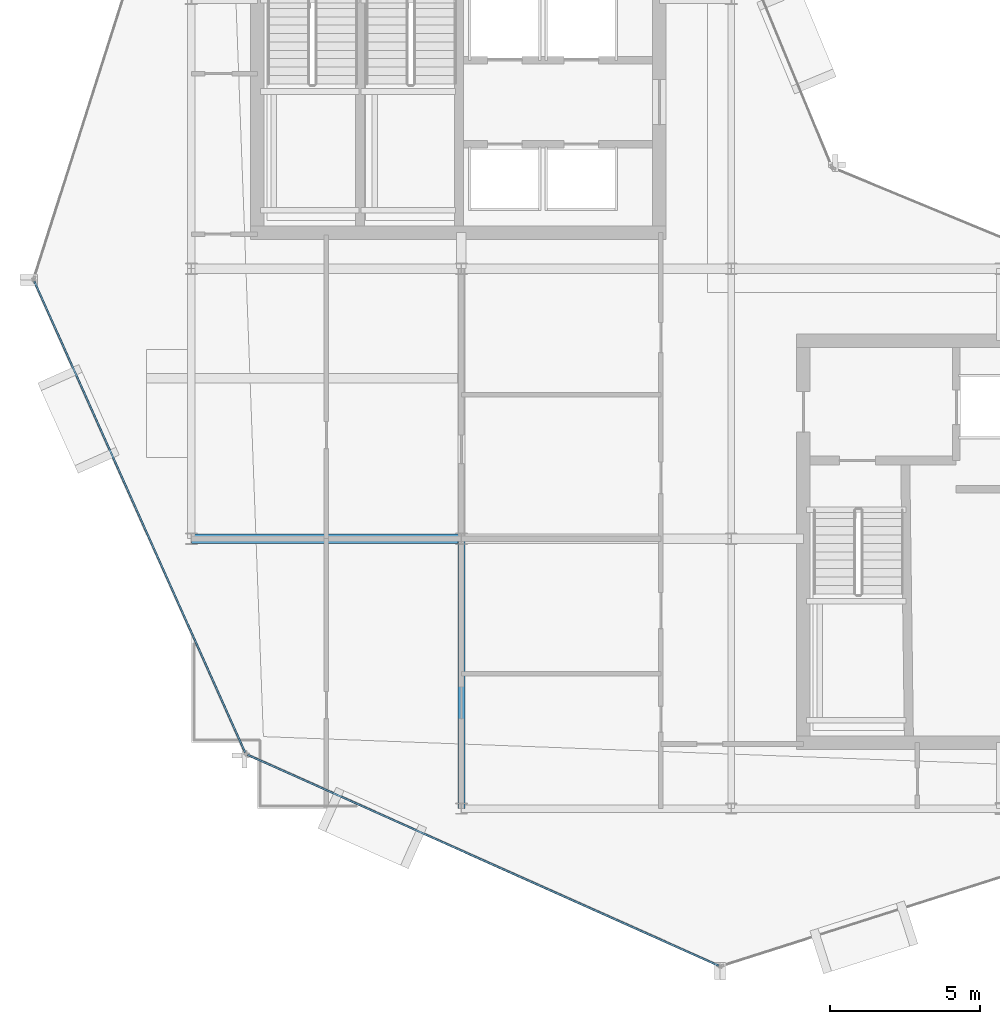
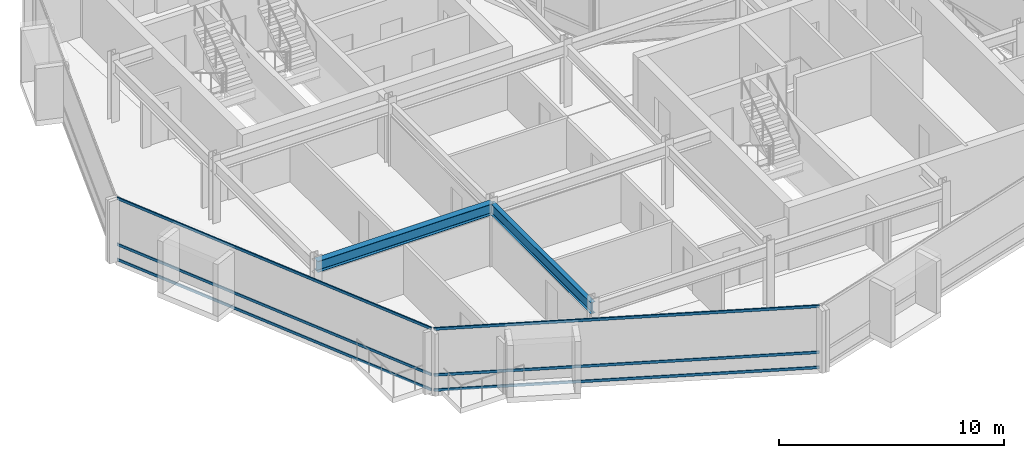
# One storey, part 3 of 19: 6 members, 2 beams, 2 elements without a shape of their own.
"""IFC4 building model written with IfcOpenShell, lengths in metres."""

import ifcopenshell
import ifcopenshell.guid

model = None  # the IFC model being written
_history = None  # IfcOwnerHistory: only IFC2X3 demands one
_inside = {}  # id of a spatial element -> (the spatial element, [elements in it])
_under = {}  # id of a project, library or spatial element -> (it, [spatial elements below it])
_declared = {}  # id of a project -> (the project, [libraries it declares])
_typed = {}  # id of a type object -> (the type object, [elements of that type])
_made_of = {}  # id of a material, layer set ... -> (it, [elements and type objects made of it])


def new_model(schema):
    """Start an empty IFC model of exactly this schema.

    Asked for "IFC4X3", IfcOpenShell would pick the latest addendum, in which some entities
    have other attributes; the version numbers below select the first issue.
    IFC2X3 requires an IfcOwnerHistory on every rooted entity: one is made here for all.
    """
    global model, _history
    if schema == "IFC4X3":
        model = ifcopenshell.file(schema_version=(4, 3, 0, 0))
    else:
        model = ifcopenshell.file(schema=schema)
    _inside.clear()
    _under.clear()
    _declared.clear()
    _typed.clear()
    _made_of.clear()
    _history = None
    if model.schema == "IFC2X3":
        org = make("IfcOrganization", Name="unknown")
        user = make(
            "IfcPersonAndOrganization",
            ThePerson=make("IfcPerson", FamilyName="unknown"),
            TheOrganization=org,
        )
        app = make(
            "IfcApplication",
            ApplicationDeveloper=org,
            Version="unknown",
            ApplicationFullName="unknown",
            ApplicationIdentifier="unknown",
        )
        _history = make(
            "IfcOwnerHistory",
            OwningUser=user,
            OwningApplication=app,
            ChangeAction="ADDED",
            CreationDate=0,
        )
    return model


def make(cls, **values):
    """One entity of the class cls with the attributes given. An attribute that is None is left unset."""
    return model.create_entity(
        cls, **{name: value for name, value in values.items() if value is not None}
    )


def rooted(cls, **values):
    """An entity with a GlobalId (a new one), such as an element, a storey or a relation."""
    return make(cls, GlobalId=ifcopenshell.guid.new(), OwnerHistory=_history, **values)


def si_unit(unit_type, name, prefix=None):
    """IfcSIUnit, for example si_unit("LENGTHUNIT", "METRE", prefix="MILLI")."""
    return make("IfcSIUnit", UnitType=unit_type, Prefix=prefix, Name=name)


def assignment(units):
    """IfcUnitAssignment: the units of a project."""
    return None if units is None else make("IfcUnitAssignment", Units=units)


def point(xyz):
    """IfcCartesianPoint."""
    return None if xyz is None else make("IfcCartesianPoint", Coordinates=xyz)


def direction(xyz):
    """IfcDirection."""
    return None if xyz is None else make("IfcDirection", DirectionRatios=xyz)


def frame(location, z_axis=None, x_axis=None):
    """IfcAxis2Placement3D, a coordinate frame: its origin and axes. An axis left out is left unset."""
    return make(
        "IfcAxis2Placement3D",
        Location=point(location),
        Axis=direction(z_axis),
        RefDirection=direction(x_axis),
    )


def frame_2d(location, x_axis=None):
    """IfcAxis2Placement2D, a coordinate frame in the plane: its origin and x axis."""
    return make(
        "IfcAxis2Placement2D", Location=point(location), RefDirection=direction(x_axis)
    )


def origin():
    """The frame at (0, 0, 0) with its axes left unset."""
    return frame((0.0, 0.0, 0.0))


def origin_2d():
    """The frame at (0, 0) in the plane with its x axis left unset."""
    return frame_2d((0.0, 0.0))


def place(relative_to, where):
    """IfcLocalPlacement: puts the frame where relative to a parent placement (None: the world)."""
    return make(
        "IfcLocalPlacement", PlacementRelTo=relative_to, RelativePlacement=where
    )


def context(
    kind, dimensions, precision=None, world=None, true_north=None, identifier=None
):
    """IfcGeometricRepresentationContext, for example the 3D "Model" context."""
    return make(
        "IfcGeometricRepresentationContext",
        ContextIdentifier=identifier,
        ContextType=kind,
        CoordinateSpaceDimension=dimensions,
        Precision=precision,
        WorldCoordinateSystem=world,
        TrueNorth=true_north,
    )


def subcontext(parent, identifier, kind, view, scale=None):
    """IfcGeometricRepresentationSubContext, for example "Body" below "Model"."""
    return make(
        "IfcGeometricRepresentationSubContext",
        ContextIdentifier=identifier,
        ContextType=kind,
        ParentContext=parent,
        TargetScale=scale,
        TargetView=view,
    )


def project(units=None, contexts=None):
    """IfcProject with its units and contexts."""
    return rooted(
        "IfcProject",
        Name="project",
        RepresentationContexts=contexts,
        UnitsInContext=assignment(units),
    )


def spatial(cls, under=None, at=None, **own):
    """A site, building, storey or space (cls), placed at a placement, below another one or the project."""
    s = rooted(cls, ObjectPlacement=at, **own)
    if under is not None:
        _under.setdefault(under.id(), (under, []))[1].append(s)
    return s


def profile(cls, at=None, kind="AREA", **sizes):
    """A parametric profile (cls). Its sizes go by their IFC names, for example OverallWidth=200.0."""
    return make(cls, ProfileType=kind, Position=at, **sizes)


def hollow_rectangle(**sizes):
    """IfcRectangleHollowProfileDef."""
    return profile("IfcRectangleHollowProfileDef", **sizes)


def i_section(**sizes):
    """IfcIShapeProfileDef."""
    return profile("IfcIShapeProfileDef", **sizes)


def extrude(swept, where, along, depth):
    """IfcExtrudedAreaSolid: the profile swept, set in the frame where, extruded along a direction by depth."""
    return make(
        "IfcExtrudedAreaSolid",
        SweptArea=swept,
        Position=where,
        ExtrudedDirection=direction(along),
        Depth=depth,
    )


def shape(context_of_items, identifier, shape_type, items):
    """IfcShapeRepresentation: the items that make up one representation, for example the "Body"."""
    return make(
        "IfcShapeRepresentation",
        ContextOfItems=context_of_items,
        RepresentationIdentifier=identifier,
        RepresentationType=shape_type,
        Items=items,
    )


def material(Name=None, Category=None):
    """IfcMaterial."""
    return make("IfcMaterial", Name=Name, Category=Category)


def layer(
    of_material, thickness, ventilated=None, Name=None, Category=None, Priority=None
):
    """IfcMaterialLayer: one layer of a wall or slab, of a material (None: an air gap)."""
    return make(
        "IfcMaterialLayer",
        Material=of_material,
        LayerThickness=thickness,
        IsVentilated=ventilated,
        Name=Name,
        Category=Category,
        Priority=Priority,
    )


def layer_set(layers, Name=None):
    """IfcMaterialLayerSet."""
    return make("IfcMaterialLayerSet", MaterialLayers=layers, LayerSetName=Name)


def material_profile(
    of_material, cross_section, Name=None, Category=None, Priority=None
):
    """IfcMaterialProfile: a cross section and its material."""
    return make(
        "IfcMaterialProfile",
        Name=Name,
        Material=of_material,
        Profile=cross_section,
        Priority=Priority,
        Category=Category,
    )


def profile_set(profiles, Name=None, composite=None):
    """IfcMaterialProfileSet."""
    return make(
        "IfcMaterialProfileSet",
        Name=Name,
        MaterialProfiles=profiles,
        CompositeProfile=composite,
    )


def made_of(thing, what):
    """Note that an element or type object is made of a material, layer set ...; save() writes the relation."""
    if what is not None:
        _made_of.setdefault(what.id(), (what, []))[1].append(thing)
    return thing


def type_object(cls, material=None, **own):
    """A type object (cls), such as IfcWallType, which elements share."""
    return made_of(rooted(cls, **own), material)


def element(
    cls,
    number,
    at=None,
    inside=None,
    cuts=None,
    type_object=None,
    material=None,
    context=None,
    identifier="Body",
    shape_type=None,
    held_by="IfcProductDefinitionShape",
    body=None,
    shapes=None,
    **own,
):
    """One element of the class cls, such as IfcWall. Its Tag is "e" and its number.

    at: its placement. inside: the storey or other place that contains it. cuts: it is an
    opening in that element (IfcRelVoidsElement). A single representation is given by context,
    identifier, shape_type and body (its items); several are given by shapes. held_by: the class
    of the entity that holds the representations. save() writes the other relations.
    """
    e = rooted(cls, Tag="e%d" % number, ObjectPlacement=at, **own)
    if body is not None:
        shapes = [shape(context, identifier, shape_type, body)]
    if shapes is not None:
        e.Representation = make(held_by, Representations=shapes)
    if inside is not None:
        _inside.setdefault(inside.id(), (inside, []))[1].append(e)
    if cuts is not None:
        rooted(
            "IfcRelVoidsElement", RelatingBuildingElement=cuts, RelatedOpeningElement=e
        )
    if type_object is not None:
        _typed.setdefault(type_object.id(), (type_object, []))[1].append(e)
    return made_of(e, material)


def aggregate(whole, parts):
    """IfcRelAggregates: a whole, such as a stair, and the parts it consists of."""
    return rooted("IfcRelAggregates", RelatingObject=whole, RelatedObjects=parts)


def save(model, path):
    """Write the relations noted so far, then the file.

    IfcRelAggregates (storeys below a building ...), IfcRelContainedInSpatialStructure (elements
    in a storey), IfcRelDefinesByType, IfcRelAssociatesMaterial and IfcRelDeclares: one each for
    every whole, place, type object, material and project.
    """
    for whole, parts in _under.values():
        aggregate(whole, parts)
    for where, things in _inside.values():
        rooted(
            "IfcRelContainedInSpatialStructure",
            RelatedElements=things,
            RelatingStructure=where,
        )
    for kind, things in _typed.values():
        rooted("IfcRelDefinesByType", RelatedObjects=things, RelatingType=kind)
    for what, things in _made_of.values():
        rooted("IfcRelAssociatesMaterial", RelatedObjects=things, RelatingMaterial=what)
    for by, libraries in _declared.values():
        rooted("IfcRelDeclares", RelatingContext=by, RelatedDefinitions=libraries)
    model.write(path)


model = new_model("IFC4")

# Units and contexts
model_context = context("Model", 3, precision=1e-05, world=origin(), true_north=direction((0.0, 1.0)))
body_context = subcontext(model_context, "Body", "Model", "MODEL_VIEW")
ifc_project = project(units=[si_unit("LENGTHUNIT", "METRE"), si_unit("AREAUNIT", "SQUARE_METRE"), si_unit("VOLUMEUNIT", "CUBIC_METRE"), si_unit("PLANEANGLEUNIT", "RADIAN"), si_unit("MASSUNIT", "GRAM", prefix="KILO")], contexts=[model_context])

# Site, building, storey
site_placement = place(None, origin())
site = spatial("IfcSite", under=ifc_project, at=site_placement, CompositionType="ELEMENT")
building_placement = place(site_placement, origin())
building = spatial("IfcBuilding", under=site, at=building_placement, Name="Solvaryn Broadcast Tower", CompositionType="ELEMENT")
storey_placement = place(building_placement, frame((0.0, 0.0, 281.5)))
storey = spatial("IfcBuildingStorey", under=building, at=storey_placement, Name="L71", CompositionType="ELEMENT", Elevation=281.5)

# Beams
ifc_material_1 = material(Name="Steel ASTM A992 Grade 50", Category="steel")
ifc_material_profile_1 = material_profile(ifc_material_1, i_section(OverallWidth=0.323974609375, OverallDepth=0.611083984375, WebThickness=0.0126953125, FlangeThickness=0.01904296875, FilletRadius=0.014892578125, at=origin_2d()))
ifc_profile_set_1 = profile_set([ifc_material_profile_1], Name="Steel ASTM A992 Grade 50")
beam_type_1 = type_object("IfcBeamType", Name="BM-B1-W24X104", PredefinedType="BEAM", material=ifc_profile_set_1)
beam_1_placement = place(storey_placement, frame((9.0, 18.0, 3.064453125), z_axis=(1.0, 0.0, 0.0), x_axis=(0.0, 1.0, 0.0)))
element("IfcBeam", 1, at=beam_1_placement, inside=storey, type_object=beam_type_1, Name="L71 Primary Beam X (9-18 @ Y=18)", PredefinedType="BEAM", context=body_context, shape_type="SweptSolid", body=[
    extrude(i_section(OverallWidth=0.323974609375, OverallDepth=0.611083984375, WebThickness=0.0126953125, FlangeThickness=0.01904296875, FilletRadius=0.014892578125, at=origin_2d()), origin(), (0.0, 0.0, 1.0), 9.0),
])
ifc_material_2 = material(Name="Steel ASTM A992 Grade 50", Category="steel")
ifc_material_profile_2 = material_profile(ifc_material_2, i_section(OverallWidth=0.22802734375, OverallDepth=0.60791015625, WebThickness=0.01123046875, FlangeThickness=0.017333984375, FilletRadius=0.014892578125, at=origin_2d()))
ifc_profile_set_2 = profile_set([ifc_material_profile_2], Name="Steel ASTM A992 Grade 50")
beam_type_2 = type_object("IfcBeamType", Name="BM-B2-W24X76", PredefinedType="BEAM", material=ifc_profile_set_2)
beam_2_placement = place(storey_placement, frame((18.0, 9.0, 3.06591796875), z_axis=(0.0, 1.0, 0.0), x_axis=(-1.0, 0.0, 0.0)))
element("IfcBeam", 2, at=beam_2_placement, inside=storey, type_object=beam_type_2, Name="L71 Primary Beam Y (9-18 @ X=18)", PredefinedType="BEAM", context=body_context, shape_type="SweptSolid", body=[
    extrude(i_section(OverallWidth=0.22802734375, OverallDepth=0.60791015625, WebThickness=0.01123046875, FlangeThickness=0.017333984375, FilletRadius=0.014892578125, at=origin_2d()), origin(), (0.0, 0.0, 1.0), 9.0),
])

# Curtain wall, members
ifc_material_3 = material(Name="Aluminium and Terracotta Unitised Curtain Wall", Category="masonry")
ifc_layer = layer(ifc_material_3, 0.199951171875)
ifc_layer_set = layer_set([ifc_layer], Name="CW-SYS2-LOWMID")
curtain_wall_type = type_object("IfcCurtainWallType", Name="CW-SYS2-LOWMID", PredefinedType="NOTDEFINED", material=ifc_layer_set)
curtain_wall_1_placement = place(storey_placement, origin())
curtain_wall_1 = element("IfcCurtainWall", 3, at=curtain_wall_1_placement, inside=storey, type_object=curtain_wall_type, Name="L71 Curtain Wall DR2", PredefinedType="NOTDEFINED")
ifc_material_4 = material(Name="Anodised Aluminium 6063-T6", Category="aluminium")
ifc_material_profile_3 = material_profile(ifc_material_4, hollow_rectangle(XDim=0.06494140625, YDim=0.14990234375, WallThickness=0.00390625, InnerFilletRadius=0.00390625, OuterFilletRadius=0.008056640625, at=origin_2d()))
ifc_profile_set_3 = profile_set([ifc_material_profile_3], Name="Anodised Aluminium 6063-T6")
member_type = type_object("IfcMemberType", Name="CW-TRN-150", PredefinedType="USERDEFINED", material=ifc_profile_set_3)
member_1_placement = place(storey_placement, frame((3.762451171875, 26.581298828125, 0.030029296875), z_axis=(0.408468080937, -0.912772604133, 0.0), x_axis=(0.912772604133, 0.408468080937, 0.0)))
member_1 = element("IfcMember", 4, at=member_1_placement, type_object=member_type, Name="CWS2 transom 1.1", ObjectType="TRANSOM", PredefinedType="USERDEFINED", context=body_context, shape_type="SweptSolid", body=[
    extrude(hollow_rectangle(XDim=0.06494140625, YDim=0.14990234375, WallThickness=0.00390625, InnerFilletRadius=0.00390625, OuterFilletRadius=0.008056640625, at=origin_2d()), origin(), (0.0, 0.0, 1.0), 17.210693359375),
])
member_2_placement = place(storey_placement, frame((3.762451171875, 26.581298828125, 0.85009765625), z_axis=(0.408468080937, -0.912772604133, 0.0), x_axis=(0.912772604133, 0.408468080937, 0.0)))
member_2 = element("IfcMember", 5, at=member_2_placement, type_object=member_type, Name="CWS2 transom 1.2", ObjectType="TRANSOM", PredefinedType="USERDEFINED", context=body_context, shape_type="SweptSolid", body=[
    extrude(hollow_rectangle(XDim=0.06494140625, YDim=0.14990234375, WallThickness=0.00390625, InnerFilletRadius=0.00390625, OuterFilletRadius=0.008056640625, at=origin_2d()), origin(), (0.0, 0.0, 1.0), 17.210693359375),
])
member_3_placement = place(storey_placement, frame((3.762451171875, 26.581298828125, 3.340087890625), z_axis=(0.408468080937, -0.912772604133, 0.0), x_axis=(0.912772604133, 0.408468080937, 0.0)))
member_3 = element("IfcMember", 6, at=member_3_placement, type_object=member_type, Name="CWS2 transom 1.3", ObjectType="TRANSOM", PredefinedType="USERDEFINED", context=body_context, shape_type="SweptSolid", body=[
    extrude(hollow_rectangle(XDim=0.06494140625, YDim=0.14990234375, WallThickness=0.00390625, InnerFilletRadius=0.00390625, OuterFilletRadius=0.008056640625, at=origin_2d()), origin(), (0.0, 0.0, 1.0), 17.210693359375),
])
aggregate(curtain_wall_1, [member_1, member_2, member_3])

curtain_wall_2_placement = place(storey_placement, origin())
curtain_wall_2 = element("IfcCurtainWall", 7, at=curtain_wall_2_placement, inside=storey, type_object=curtain_wall_type, Name="L71 Curtain Wall DR3", PredefinedType="NOTDEFINED")
member_4_placement = place(storey_placement, frame((10.871826171875, 10.79248046875, 0.030029296875), z_axis=(0.912772604133, -0.408468080937, 0.0), x_axis=(0.408468080937, 0.912772604133, 0.0)))
member_4 = element("IfcMember", 8, at=member_4_placement, type_object=member_type, Name="CWS2 transom 1.1", ObjectType="TRANSOM", PredefinedType="USERDEFINED", context=body_context, shape_type="SweptSolid", body=[
    extrude(hollow_rectangle(XDim=0.06494140625, YDim=0.14990234375, WallThickness=0.00390625, InnerFilletRadius=0.00390625, OuterFilletRadius=0.008056640625, at=origin_2d()), origin(), (0.0, 0.0, 1.0), 17.210693359375),
])
member_5_placement = place(storey_placement, frame((10.871826171875, 10.79248046875, 0.85009765625), z_axis=(0.912772604133, -0.408468080937, 0.0), x_axis=(0.408468080937, 0.912772604133, 0.0)))
member_5 = element("IfcMember", 9, at=member_5_placement, type_object=member_type, Name="CWS2 transom 1.2", ObjectType="TRANSOM", PredefinedType="USERDEFINED", context=body_context, shape_type="SweptSolid", body=[
    extrude(hollow_rectangle(XDim=0.06494140625, YDim=0.14990234375, WallThickness=0.00390625, InnerFilletRadius=0.00390625, OuterFilletRadius=0.008056640625, at=origin_2d()), origin(), (0.0, 0.0, 1.0), 17.210693359375),
])
member_6_placement = place(storey_placement, frame((10.871826171875, 10.79248046875, 3.340087890625), z_axis=(0.912772604133, -0.408468080937, 0.0), x_axis=(0.408468080937, 0.912772604133, 0.0)))
member_6 = element("IfcMember", 10, at=member_6_placement, type_object=member_type, Name="CWS2 transom 1.3", ObjectType="TRANSOM", PredefinedType="USERDEFINED", context=body_context, shape_type="SweptSolid", body=[
    extrude(hollow_rectangle(XDim=0.06494140625, YDim=0.14990234375, WallThickness=0.00390625, InnerFilletRadius=0.00390625, OuterFilletRadius=0.008056640625, at=origin_2d()), origin(), (0.0, 0.0, 1.0), 17.210693359375),
])
aggregate(curtain_wall_2, [member_4, member_5, member_6])

save(model, "model.ifc")
